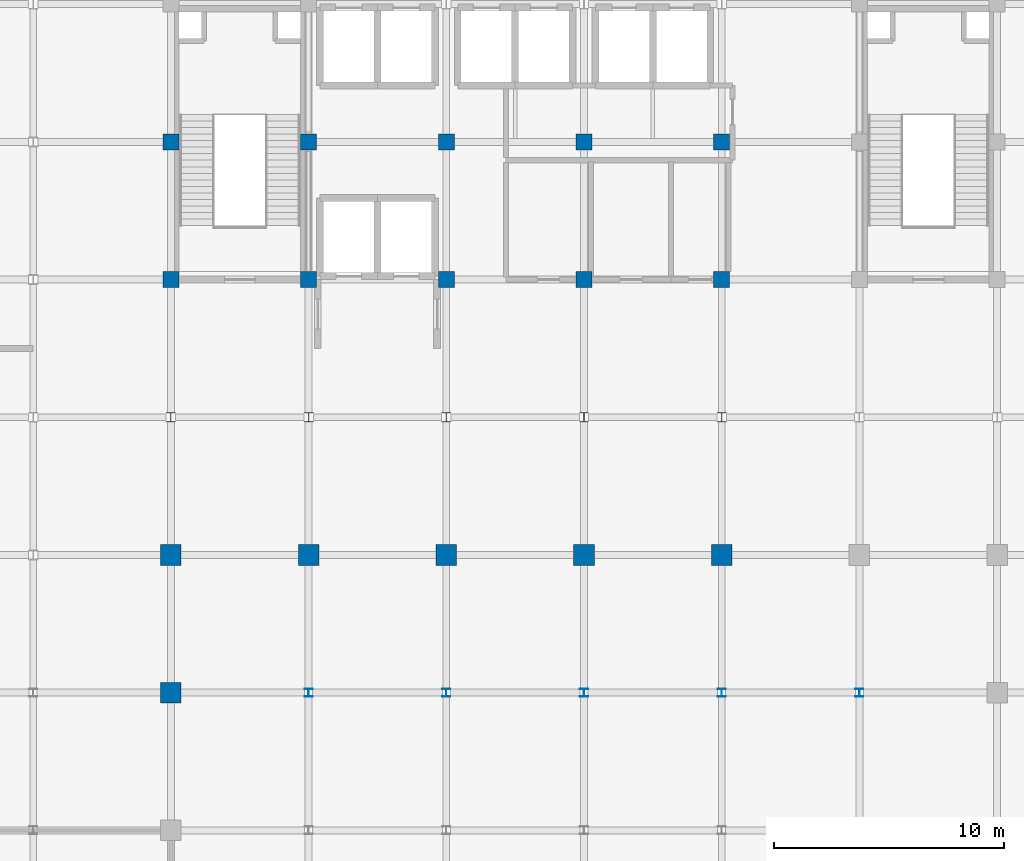
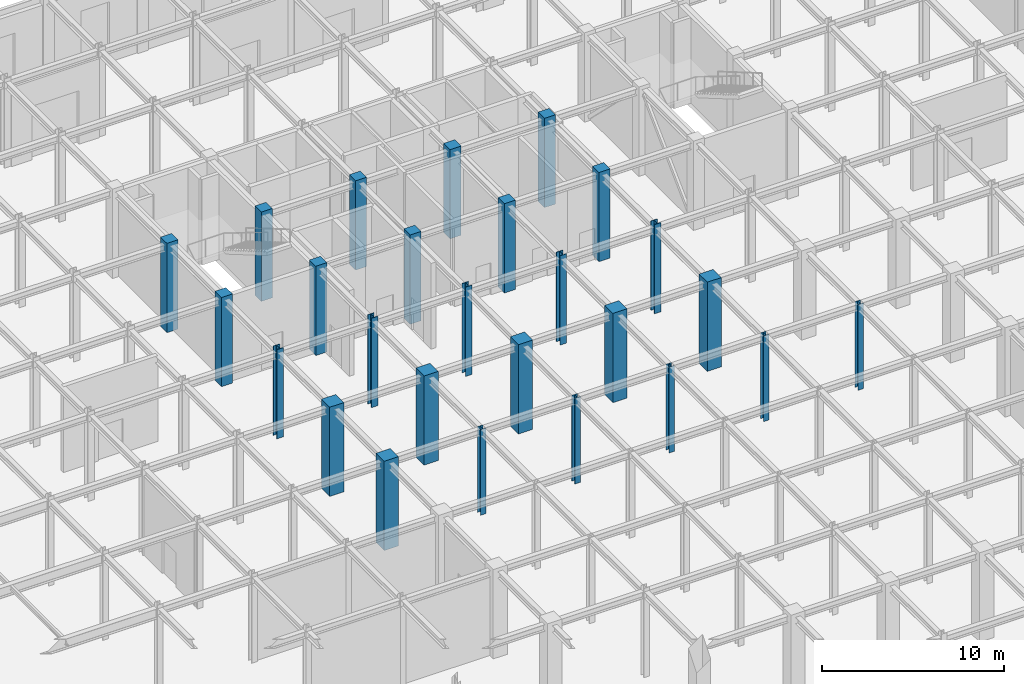
# One storey, part 17 of 51: 26 columns.
"""IFC4 building model written with IfcOpenShell, lengths in metres."""

import ifcopenshell
import ifcopenshell.guid

model = None  # the IFC model being written
_history = None  # IfcOwnerHistory: only IFC2X3 demands one
_inside = {}  # id of a spatial element -> (the spatial element, [elements in it])
_under = {}  # id of a project, library or spatial element -> (it, [spatial elements below it])
_declared = {}  # id of a project -> (the project, [libraries it declares])
_typed = {}  # id of a type object -> (the type object, [elements of that type])
_made_of = {}  # id of a material, layer set ... -> (it, [elements and type objects made of it])


def new_model(schema):
    """Start an empty IFC model of exactly this schema.

    Asked for "IFC4X3", IfcOpenShell would pick the latest addendum, in which some entities
    have other attributes; the version numbers below select the first issue.
    IFC2X3 requires an IfcOwnerHistory on every rooted entity: one is made here for all.
    """
    global model, _history
    if schema == "IFC4X3":
        model = ifcopenshell.file(schema_version=(4, 3, 0, 0))
    else:
        model = ifcopenshell.file(schema=schema)
    _inside.clear()
    _under.clear()
    _declared.clear()
    _typed.clear()
    _made_of.clear()
    _history = None
    if model.schema == "IFC2X3":
        org = make("IfcOrganization", Name="unknown")
        user = make(
            "IfcPersonAndOrganization",
            ThePerson=make("IfcPerson", FamilyName="unknown"),
            TheOrganization=org,
        )
        app = make(
            "IfcApplication",
            ApplicationDeveloper=org,
            Version="unknown",
            ApplicationFullName="unknown",
            ApplicationIdentifier="unknown",
        )
        _history = make(
            "IfcOwnerHistory",
            OwningUser=user,
            OwningApplication=app,
            ChangeAction="ADDED",
            CreationDate=0,
        )
    return model


def make(cls, **values):
    """One entity of the class cls with the attributes given. An attribute that is None is left unset."""
    return model.create_entity(
        cls, **{name: value for name, value in values.items() if value is not None}
    )


def rooted(cls, **values):
    """An entity with a GlobalId (a new one), such as an element, a storey or a relation."""
    return make(cls, GlobalId=ifcopenshell.guid.new(), OwnerHistory=_history, **values)


def si_unit(unit_type, name, prefix=None):
    """IfcSIUnit, for example si_unit("LENGTHUNIT", "METRE", prefix="MILLI")."""
    return make("IfcSIUnit", UnitType=unit_type, Prefix=prefix, Name=name)


def assignment(units):
    """IfcUnitAssignment: the units of a project."""
    return None if units is None else make("IfcUnitAssignment", Units=units)


def point(xyz):
    """IfcCartesianPoint."""
    return None if xyz is None else make("IfcCartesianPoint", Coordinates=xyz)


def direction(xyz):
    """IfcDirection."""
    return None if xyz is None else make("IfcDirection", DirectionRatios=xyz)


def frame(location, z_axis=None, x_axis=None):
    """IfcAxis2Placement3D, a coordinate frame: its origin and axes. An axis left out is left unset."""
    return make(
        "IfcAxis2Placement3D",
        Location=point(location),
        Axis=direction(z_axis),
        RefDirection=direction(x_axis),
    )


def frame_2d(location, x_axis=None):
    """IfcAxis2Placement2D, a coordinate frame in the plane: its origin and x axis."""
    return make(
        "IfcAxis2Placement2D", Location=point(location), RefDirection=direction(x_axis)
    )


def origin():
    """The frame at (0, 0, 0) with its axes left unset."""
    return frame((0.0, 0.0, 0.0))


def origin_2d():
    """The frame at (0, 0) in the plane with its x axis left unset."""
    return frame_2d((0.0, 0.0))


def place(relative_to, where):
    """IfcLocalPlacement: puts the frame where relative to a parent placement (None: the world)."""
    return make(
        "IfcLocalPlacement", PlacementRelTo=relative_to, RelativePlacement=where
    )


def context(
    kind, dimensions, precision=None, world=None, true_north=None, identifier=None
):
    """IfcGeometricRepresentationContext, for example the 3D "Model" context."""
    return make(
        "IfcGeometricRepresentationContext",
        ContextIdentifier=identifier,
        ContextType=kind,
        CoordinateSpaceDimension=dimensions,
        Precision=precision,
        WorldCoordinateSystem=world,
        TrueNorth=true_north,
    )


def subcontext(parent, identifier, kind, view, scale=None):
    """IfcGeometricRepresentationSubContext, for example "Body" below "Model"."""
    return make(
        "IfcGeometricRepresentationSubContext",
        ContextIdentifier=identifier,
        ContextType=kind,
        ParentContext=parent,
        TargetScale=scale,
        TargetView=view,
    )


def project(units=None, contexts=None):
    """IfcProject with its units and contexts."""
    return rooted(
        "IfcProject",
        Name="project",
        RepresentationContexts=contexts,
        UnitsInContext=assignment(units),
    )


def spatial(cls, under=None, at=None, **own):
    """A site, building, storey or space (cls), placed at a placement, below another one or the project."""
    s = rooted(cls, ObjectPlacement=at, **own)
    if under is not None:
        _under.setdefault(under.id(), (under, []))[1].append(s)
    return s


def profile(cls, at=None, kind="AREA", **sizes):
    """A parametric profile (cls). Its sizes go by their IFC names, for example OverallWidth=200.0."""
    return make(cls, ProfileType=kind, Position=at, **sizes)


def rectangle(**sizes):
    """IfcRectangleProfileDef."""
    return profile("IfcRectangleProfileDef", **sizes)


def i_section(**sizes):
    """IfcIShapeProfileDef."""
    return profile("IfcIShapeProfileDef", **sizes)


def extrude(swept, where, along, depth):
    """IfcExtrudedAreaSolid: the profile swept, set in the frame where, extruded along a direction by depth."""
    return make(
        "IfcExtrudedAreaSolid",
        SweptArea=swept,
        Position=where,
        ExtrudedDirection=direction(along),
        Depth=depth,
    )


def shape(context_of_items, identifier, shape_type, items):
    """IfcShapeRepresentation: the items that make up one representation, for example the "Body"."""
    return make(
        "IfcShapeRepresentation",
        ContextOfItems=context_of_items,
        RepresentationIdentifier=identifier,
        RepresentationType=shape_type,
        Items=items,
    )


def material(Name=None, Category=None):
    """IfcMaterial."""
    return make("IfcMaterial", Name=Name, Category=Category)


def material_profile(
    of_material, cross_section, Name=None, Category=None, Priority=None
):
    """IfcMaterialProfile: a cross section and its material."""
    return make(
        "IfcMaterialProfile",
        Name=Name,
        Material=of_material,
        Profile=cross_section,
        Priority=Priority,
        Category=Category,
    )


def profile_set(profiles, Name=None, composite=None):
    """IfcMaterialProfileSet."""
    return make(
        "IfcMaterialProfileSet",
        Name=Name,
        MaterialProfiles=profiles,
        CompositeProfile=composite,
    )


def made_of(thing, what):
    """Note that an element or type object is made of a material, layer set ...; save() writes the relation."""
    if what is not None:
        _made_of.setdefault(what.id(), (what, []))[1].append(thing)
    return thing


def type_object(cls, material=None, **own):
    """A type object (cls), such as IfcWallType, which elements share."""
    return made_of(rooted(cls, **own), material)


def element(
    cls,
    number,
    at=None,
    inside=None,
    cuts=None,
    type_object=None,
    material=None,
    context=None,
    identifier="Body",
    shape_type=None,
    held_by="IfcProductDefinitionShape",
    body=None,
    shapes=None,
    **own,
):
    """One element of the class cls, such as IfcWall. Its Tag is "e" and its number.

    at: its placement. inside: the storey or other place that contains it. cuts: it is an
    opening in that element (IfcRelVoidsElement). A single representation is given by context,
    identifier, shape_type and body (its items); several are given by shapes. held_by: the class
    of the entity that holds the representations. save() writes the other relations.
    """
    e = rooted(cls, Tag="e%d" % number, ObjectPlacement=at, **own)
    if body is not None:
        shapes = [shape(context, identifier, shape_type, body)]
    if shapes is not None:
        e.Representation = make(held_by, Representations=shapes)
    if inside is not None:
        _inside.setdefault(inside.id(), (inside, []))[1].append(e)
    if cuts is not None:
        rooted(
            "IfcRelVoidsElement", RelatingBuildingElement=cuts, RelatedOpeningElement=e
        )
    if type_object is not None:
        _typed.setdefault(type_object.id(), (type_object, []))[1].append(e)
    return made_of(e, material)


def aggregate(whole, parts):
    """IfcRelAggregates: a whole, such as a stair, and the parts it consists of."""
    return rooted("IfcRelAggregates", RelatingObject=whole, RelatedObjects=parts)


def save(model, path):
    """Write the relations noted so far, then the file.

    IfcRelAggregates (storeys below a building ...), IfcRelContainedInSpatialStructure (elements
    in a storey), IfcRelDefinesByType, IfcRelAssociatesMaterial and IfcRelDeclares: one each for
    every whole, place, type object, material and project.
    """
    for whole, parts in _under.values():
        aggregate(whole, parts)
    for where, things in _inside.values():
        rooted(
            "IfcRelContainedInSpatialStructure",
            RelatedElements=things,
            RelatingStructure=where,
        )
    for kind, things in _typed.values():
        rooted("IfcRelDefinesByType", RelatedObjects=things, RelatingType=kind)
    for what, things in _made_of.values():
        rooted("IfcRelAssociatesMaterial", RelatedObjects=things, RelatingMaterial=what)
    for by, libraries in _declared.values():
        rooted("IfcRelDeclares", RelatingContext=by, RelatedDefinitions=libraries)
    model.write(path)


model = new_model("IFC4")

# Units and contexts
model_context = context("Model", 3, precision=1e-05, world=origin(), true_north=direction((0.0, 1.0)))
body_context = subcontext(model_context, "Body", "Model", "MODEL_VIEW")
ifc_project = project(units=[si_unit("LENGTHUNIT", "METRE"), si_unit("AREAUNIT", "SQUARE_METRE"), si_unit("VOLUMEUNIT", "CUBIC_METRE"), si_unit("PLANEANGLEUNIT", "RADIAN"), si_unit("MASSUNIT", "GRAM", prefix="KILO")], contexts=[model_context])

# Site, building, storey
site_placement = place(None, origin())
site = spatial("IfcSite", under=ifc_project, at=site_placement, CompositionType="ELEMENT")
building_placement = place(site_placement, origin())
building = spatial("IfcBuilding", under=site, at=building_placement, Name="Zlatovratsky Civic Hall", CompositionType="ELEMENT")
storey_placement = place(building_placement, origin())
storey = spatial("IfcBuildingStorey", under=building, at=storey_placement, Name="L01", CompositionType="ELEMENT", Elevation=0.0)

# Columns
ifc_material_1 = material(Name="Concrete C35/45 (B40)", Category="concrete")
ifc_material_profile_1 = material_profile(ifc_material_1, rectangle(XDim=0.89990234375, YDim=0.89990234375, at=origin_2d()), Name="RC 900x900")
ifc_profile_set_1 = profile_set([ifc_material_profile_1], Name="Concrete C35/45 (B40)")
column_type_1 = type_object("IfcColumnType", Name="Col_ChamberPier_RC900", PredefinedType="COLUMN", material=ifc_profile_set_1)
for number, where, z_axis, x_axis, name in (
    (1, (66.0, 66.0, 0.0), (0.0, 0.0, 1.0), (1.0, 0.0, 0.0), "CL-0623"),
    (2, (66.0, 72.0, 0.0), (0.0, 0.0, 1.0), (1.0, 0.0, 0.0), "CL-0646"),
    (3, (72.0, 72.0, 0.0), (0.0, 0.0, 1.0), (1.0, 0.0, 0.0), "CL-0647"),
    (4, (78.0, 72.0, 0.0), (0.0, 0.0, 1.0), (1.0, 0.0, 0.0), "CL-0648"),
    (5, (84.0, 72.0, 0.0), (0.0, 0.0, 1.0), (1.0, 0.0, 0.0), "CL-0649"),
    (6, (90.0, 72.0, 0.0), (0.0, 0.0, 1.0), (1.0, 0.0, 0.0), "CL-0650"),
):
    element("IfcColumn", number, at=place(storey_placement, frame(where, z_axis=z_axis, x_axis=x_axis)), inside=storey, type_object=column_type_1, Name=name, PredefinedType="COLUMN", context=body_context, shape_type="SweptSolid", body=[
        extrude(rectangle(XDim=0.89990234375, YDim=0.89990234375, at=origin_2d()), origin(), (0.0, 0.0, 1.0), 6.0),
    ])
ifc_material_profile_2 = material_profile(ifc_material_1, rectangle(XDim=0.699951171875, YDim=0.699951171875, at=origin_2d()), Name="RC 700x700")
ifc_profile_set_2 = profile_set([ifc_material_profile_2], Name="Concrete C35/45 (B40)")
column_type_2 = type_object("IfcColumnType", Name="Col_CorePier_RC700", PredefinedType="COLUMN", material=ifc_profile_set_2)
for number, where, z_axis, x_axis, name in (
    (7, (66.0, 84.0, 0.0), (0.0, 0.0, 1.0), (1.0, 0.0, 0.0), "CL-0692"),
    (8, (72.0, 84.0, 0.0), (0.0, 0.0, 1.0), (1.0, 0.0, 0.0), "CL-0693"),
    (9, (78.0, 84.0, 0.0), (0.0, 0.0, 1.0), (1.0, 0.0, 0.0), "CL-0694"),
    (10, (84.0, 84.0, 0.0), (0.0, 0.0, 1.0), (1.0, 0.0, 0.0), "CL-0695"),
    (11, (90.0, 84.0, 0.0), (0.0, 0.0, 1.0), (1.0, 0.0, 0.0), "CL-0696"),
    (12, (66.0, 90.0, 0.0), (0.0, 0.0, 1.0), (1.0, 0.0, 0.0), "CL-0715"),
    (13, (72.0, 90.0, 0.0), (0.0, 0.0, 1.0), (1.0, 0.0, 0.0), "CL-0716"),
    (14, (78.0, 90.0, 0.0), (0.0, 0.0, 1.0), (1.0, 0.0, 0.0), "CL-0717"),
    (15, (84.0, 90.0, 0.0), (0.0, 0.0, 1.0), (1.0, 0.0, 0.0), "CL-0718"),
    (16, (90.0, 90.0, 0.0), (0.0, 0.0, 1.0), (1.0, 0.0, 0.0), "CL-0719"),
):
    element("IfcColumn", number, at=place(storey_placement, frame(where, z_axis=z_axis, x_axis=x_axis)), inside=storey, type_object=column_type_2, Name=name, PredefinedType="COLUMN", context=body_context, shape_type="SweptSolid", body=[
        extrude(rectangle(XDim=0.699951171875, YDim=0.699951171875, at=origin_2d()), origin(), (0.0, 0.0, 1.0), 6.0),
    ])
ifc_material_2 = material(Name="Steel S355", Category="steel")
ifc_material_profile_3 = material_profile(ifc_material_2, i_section(OverallWidth=0.35009765625, OverallDepth=0.343017578125, WebThickness=0.010009765625, FlangeThickness=0.014892578125, FilletRadius=0.02001953125, at=origin_2d()), Name="35K1")
ifc_profile_set_3 = profile_set([ifc_material_profile_3], Name="Steel S355")
column_type_3 = type_object("IfcColumnType", Name="Col_Steel_35K1", PredefinedType="COLUMN", material=ifc_profile_set_3)
for number, where, z_axis, x_axis, name in (
    (17, (72.0, 66.0, 0.0), (0.0, 0.0, 1.0), (1.0, 0.0, 0.0), "CL-0624"),
    (18, (78.0, 66.0, 0.0), (0.0, 0.0, 1.0), (1.0, 0.0, 0.0), "CL-0625"),
    (19, (84.0, 66.0, 0.0), (0.0, 0.0, 1.0), (1.0, 0.0, 0.0), "CL-0626"),
    (20, (90.0, 66.0, 0.0), (0.0, 0.0, 1.0), (1.0, 0.0, 0.0), "CL-0627"),
    (21, (96.0, 66.0, 0.0), (0.0, 0.0, 1.0), (1.0, 0.0, 0.0), "CL-0628"),
):
    element("IfcColumn", number, at=place(storey_placement, frame(where, z_axis=z_axis, x_axis=x_axis)), inside=storey, type_object=column_type_3, Name=name, PredefinedType="COLUMN", context=body_context, shape_type="SweptSolid", body=[
        extrude(i_section(OverallWidth=0.35009765625, OverallDepth=0.343017578125, WebThickness=0.010009765625, FlangeThickness=0.014892578125, FilletRadius=0.02001953125, at=origin_2d()), origin(), (0.0, 0.0, 1.0), 5.760009765625),
    ])
ifc_material_profile_4 = material_profile(ifc_material_2, i_section(OverallWidth=0.408935546875, OverallDepth=0.428955078125, WebThickness=0.02392578125, FlangeThickness=0.035400390625, FilletRadius=0.02197265625, at=origin_2d()), Name="40K5")
ifc_profile_set_4 = profile_set([ifc_material_profile_4], Name="Steel S355")
column_type_4 = type_object("IfcColumnType", Name="Col_Steel_40K5", PredefinedType="COLUMN", material=ifc_profile_set_4)
for number, where, z_axis, x_axis, name in (
    (22, (66.0, 78.0, 0.0), (0.0, 0.0, 1.0), (1.0, 0.0, 0.0), "CL-0669"),
    (23, (72.0, 78.0, 0.0), (0.0, 0.0, 1.0), (1.0, 0.0, 0.0), "CL-0670"),
    (24, (78.0, 78.0, 0.0), (0.0, 0.0, 1.0), (1.0, 0.0, 0.0), "CL-0671"),
    (25, (84.0, 78.0, 0.0), (0.0, 0.0, 1.0), (1.0, 0.0, 0.0), "CL-0672"),
    (26, (90.0, 78.0, 0.0), (0.0, 0.0, 1.0), (1.0, 0.0, 0.0), "CL-0673"),
):
    element("IfcColumn", number, at=place(storey_placement, frame(where, z_axis=z_axis, x_axis=x_axis)), inside=storey, type_object=column_type_4, Name=name, PredefinedType="COLUMN", context=body_context, shape_type="SweptSolid", body=[
        extrude(i_section(OverallWidth=0.408935546875, OverallDepth=0.428955078125, WebThickness=0.02392578125, FlangeThickness=0.035400390625, FilletRadius=0.02197265625, at=origin_2d()), origin(), (0.0, 0.0, 1.0), 6.0),
    ])

save(model, "model.ifc")
